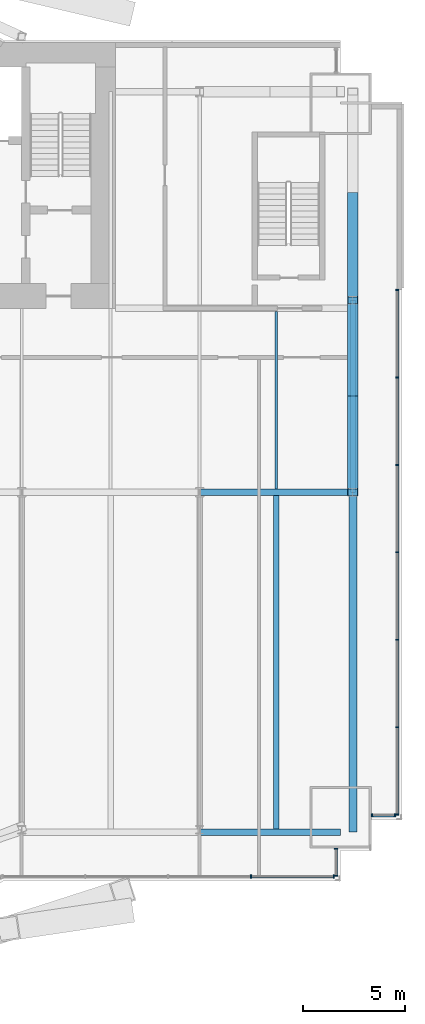
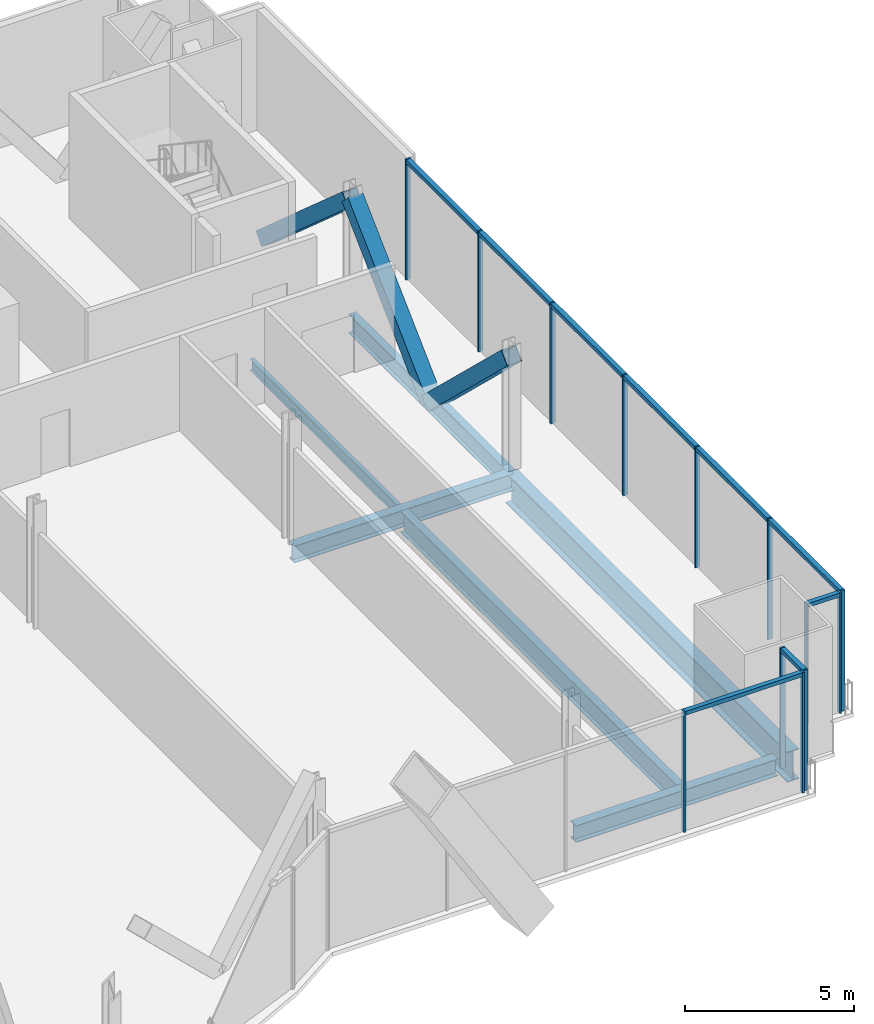
# One storey, part 14 of 23: 25 members, 6 beams, 4 elements without a shape of their own.
"""IFC4 building model written with IfcOpenShell, lengths in metres."""

from ifc_helpers import new_model, si_unit, direction, frame, origin, origin_2d, place, context, subcontext, project, spatial, rectangle, hollow_rectangle, i_section, extrude, material, material_profile, profile_set, type_object, element, aggregate, save


model = new_model("IFC4")

# Units and contexts
model_context = context("Model", 3, precision=1e-05, world=origin(), true_north=direction((0.0, 1.0)))
body_context = subcontext(model_context, "Body", "Model", "MODEL_VIEW")
ifc_project = project(units=[si_unit("LENGTHUNIT", "METRE"), si_unit("AREAUNIT", "SQUARE_METRE"), si_unit("VOLUMEUNIT", "CUBIC_METRE"), si_unit("PLANEANGLEUNIT", "RADIAN"), si_unit("MASSUNIT", "GRAM", prefix="KILO")], contexts=[model_context])

# Site, building, storey
site_placement = place(None, origin())
site = spatial("IfcSite", under=ifc_project, at=site_placement, CompositionType="ELEMENT")
building_placement = place(site_placement, origin())
building = spatial("IfcBuilding", under=site, at=building_placement, Name="Bicima Exchange Tower", CompositionType="ELEMENT")
storey_placement = place(building_placement, frame((0.0, 0.0, 53.0)))
storey = spatial("IfcBuildingStorey", under=building, at=storey_placement, Name="L10", CompositionType="ELEMENT", Elevation=53.0)

# Curtain wall, members
ifc_material_1 = material(Name="Anodised bronze aluminium", Category="aluminium")
curtain_wall_type_1 = type_object("IfcCurtainWallType", Name="End face glass wall", PredefinedType="NOTDEFINED", material=ifc_material_1)
curtain_wall_1_placement = place(storey_placement, origin())
curtain_wall_1 = element("IfcCurtainWall", 1, at=curtain_wall_1_placement, inside=storey, type_object=curtain_wall_type_1, Name="End face glass wall L10 run 19", PredefinedType="NOTDEFINED")
ifc_material_profile_1 = material_profile(ifc_material_1, rectangle(XDim=0.159912109375, YDim=0.06005859375, at=origin_2d()))
ifc_profile_set_1 = profile_set([ifc_material_profile_1], Name="Anodised bronze aluminium")
member_type_1 = type_object("IfcMemberType", Name="End face glass wall mullion 60 x 160", PredefinedType="MULLION", material=ifc_profile_set_1)
member_1_placement = place(storey_placement, frame((35.77001953125, -37.763916015625, 0.0), z_axis=(0.0, 0.0, 1.0), x_axis=(-1.0, 0.0, 0.0)))
member_1 = element("IfcMember", 2, at=member_1_placement, type_object=member_type_1, Name="End face glass wall mullion 1", PredefinedType="MULLION", context=body_context, shape_type="SweptSolid", body=[
    extrude(rectangle(XDim=0.159912109375, YDim=0.06005859375, at=origin_2d()), origin(), (0.0, 0.0, 1.0), 4.35009765625),
])
member_2_placement = place(storey_placement, frame((35.77001953125, -33.48828125, 0.0), z_axis=(0.0, 0.0, 1.0), x_axis=(-1.0, 0.0, 0.0)))
member_2 = element("IfcMember", 3, at=member_2_placement, type_object=member_type_1, Name="End face glass wall mullion 2", PredefinedType="MULLION", context=body_context, shape_type="SweptSolid", body=[
    extrude(rectangle(XDim=0.159912109375, YDim=0.06005859375, at=origin_2d()), origin(), (0.0, 0.0, 1.0), 4.35009765625),
])
member_3_placement = place(storey_placement, frame((35.77001953125, -29.212646484375, 0.0), z_axis=(0.0, 0.0, 1.0), x_axis=(-1.0, 0.0, 0.0)))
member_3 = element("IfcMember", 4, at=member_3_placement, type_object=member_type_1, Name="End face glass wall mullion 3", PredefinedType="MULLION", context=body_context, shape_type="SweptSolid", body=[
    extrude(rectangle(XDim=0.159912109375, YDim=0.06005859375, at=origin_2d()), origin(), (0.0, 0.0, 1.0), 4.35009765625),
])
member_4_placement = place(storey_placement, frame((35.77001953125, -24.93701171875, 0.0), z_axis=(0.0, 0.0, 1.0), x_axis=(-1.0, 0.0, 0.0)))
member_4 = element("IfcMember", 5, at=member_4_placement, type_object=member_type_1, Name="End face glass wall mullion 4", PredefinedType="MULLION", context=body_context, shape_type="SweptSolid", body=[
    extrude(rectangle(XDim=0.159912109375, YDim=0.06005859375, at=origin_2d()), origin(), (0.0, 0.0, 1.0), 4.35009765625),
])
member_5_placement = place(storey_placement, frame((35.77001953125, -20.661376953125, 0.0), z_axis=(0.0, 0.0, 1.0), x_axis=(-1.0, 0.0, 0.0)))
member_5 = element("IfcMember", 6, at=member_5_placement, type_object=member_type_1, Name="End face glass wall mullion 5", PredefinedType="MULLION", context=body_context, shape_type="SweptSolid", body=[
    extrude(rectangle(XDim=0.159912109375, YDim=0.06005859375, at=origin_2d()), origin(), (0.0, 0.0, 1.0), 4.35009765625),
])
member_6_placement = place(storey_placement, frame((35.77001953125, -16.3857421875, 0.0), z_axis=(0.0, 0.0, 1.0), x_axis=(-1.0, 0.0, 0.0)))
member_6 = element("IfcMember", 7, at=member_6_placement, type_object=member_type_1, Name="End face glass wall mullion 6", PredefinedType="MULLION", context=body_context, shape_type="SweptSolid", body=[
    extrude(rectangle(XDim=0.159912109375, YDim=0.06005859375, at=origin_2d()), origin(), (0.0, 0.0, 1.0), 4.35009765625),
])
member_7_placement = place(storey_placement, frame((35.77001953125, -12.110107421875, 0.0), z_axis=(0.0, 0.0, 1.0), x_axis=(-1.0, 0.0, 0.0)))
member_7 = element("IfcMember", 8, at=member_7_placement, type_object=member_type_1, Name="End face glass wall mullion 7", PredefinedType="MULLION", context=body_context, shape_type="SweptSolid", body=[
    extrude(rectangle(XDim=0.159912109375, YDim=0.06005859375, at=origin_2d()), origin(), (0.0, 0.0, 1.0), 4.35009765625),
])
ifc_material_profile_2 = material_profile(ifc_material_1, rectangle(XDim=0.159912109375, YDim=0.139892578125, at=origin_2d()))
ifc_profile_set_2 = profile_set([ifc_material_profile_2], Name="Anodised bronze aluminium")
member_type_2 = type_object("IfcMemberType", Name="End face glass wall transom 140 x 160", PredefinedType="USERDEFINED", material=ifc_profile_set_2)
member_8_placement = place(storey_placement, frame((35.77001953125, -37.73388671875, 4.280029296875), z_axis=(0.0, 1.0, 0.0), x_axis=(-1.0, 0.0, 0.0)))
member_8 = element("IfcMember", 9, at=member_8_placement, type_object=member_type_2, Name="End face glass wall transom 1.1", ObjectType="TRANSOM", PredefinedType="USERDEFINED", context=body_context, shape_type="SweptSolid", body=[
    extrude(rectangle(XDim=0.159912109375, YDim=0.139892578125, at=origin_2d()), origin(), (0.0, 0.0, 1.0), 4.215576171875),
])
member_9_placement = place(storey_placement, frame((35.77001953125, -33.458251953125, 4.280029296875), z_axis=(0.0, 1.0, 0.0), x_axis=(-1.0, 0.0, 0.0)))
member_9 = element("IfcMember", 10, at=member_9_placement, type_object=member_type_2, Name="End face glass wall transom 2.1", ObjectType="TRANSOM", PredefinedType="USERDEFINED", context=body_context, shape_type="SweptSolid", body=[
    extrude(rectangle(XDim=0.159912109375, YDim=0.139892578125, at=origin_2d()), origin(), (0.0, 0.0, 1.0), 4.215576171875),
])
member_10_placement = place(storey_placement, frame((35.77001953125, -29.1826171875, 4.280029296875), z_axis=(0.0, 1.0, 0.0), x_axis=(-1.0, 0.0, 0.0)))
member_10 = element("IfcMember", 11, at=member_10_placement, type_object=member_type_2, Name="End face glass wall transom 3.1", ObjectType="TRANSOM", PredefinedType="USERDEFINED", context=body_context, shape_type="SweptSolid", body=[
    extrude(rectangle(XDim=0.159912109375, YDim=0.139892578125, at=origin_2d()), origin(), (0.0, 0.0, 1.0), 4.215576171875),
])
member_11_placement = place(storey_placement, frame((35.77001953125, -24.906982421875, 4.280029296875), z_axis=(0.0, 1.0, 0.0), x_axis=(-1.0, 0.0, 0.0)))
member_11 = element("IfcMember", 12, at=member_11_placement, type_object=member_type_2, Name="End face glass wall transom 4.1", ObjectType="TRANSOM", PredefinedType="USERDEFINED", context=body_context, shape_type="SweptSolid", body=[
    extrude(rectangle(XDim=0.159912109375, YDim=0.139892578125, at=origin_2d()), origin(), (0.0, 0.0, 1.0), 4.215576171875),
])
member_12_placement = place(storey_placement, frame((35.77001953125, -20.63134765625, 4.280029296875), z_axis=(0.0, 1.0, 0.0), x_axis=(-1.0, 0.0, 0.0)))
member_12 = element("IfcMember", 13, at=member_12_placement, type_object=member_type_2, Name="End face glass wall transom 5.1", ObjectType="TRANSOM", PredefinedType="USERDEFINED", context=body_context, shape_type="SweptSolid", body=[
    extrude(rectangle(XDim=0.159912109375, YDim=0.139892578125, at=origin_2d()), origin(), (0.0, 0.0, 1.0), 4.215576171875),
])
member_13_placement = place(storey_placement, frame((35.77001953125, -16.355712890625, 4.280029296875), z_axis=(0.0, 1.0, 0.0), x_axis=(-1.0, 0.0, 0.0)))
member_13 = element("IfcMember", 14, at=member_13_placement, type_object=member_type_2, Name="End face glass wall transom 6.1", ObjectType="TRANSOM", PredefinedType="USERDEFINED", context=body_context, shape_type="SweptSolid", body=[
    extrude(rectangle(XDim=0.159912109375, YDim=0.139892578125, at=origin_2d()), origin(), (0.0, 0.0, 1.0), 4.2158203125),
])
aggregate(curtain_wall_1, [member_1, member_2, member_3, member_4, member_5, member_6, member_7, member_8, member_9, member_10, member_11, member_12, member_13])

# Beams
ifc_material_2 = material(Name="Steel ASTM A992 Gr 50", Category="steel")
ifc_material_profile_3 = material_profile(ifc_material_2, i_section(OverallWidth=0.256591796875, OverallDepth=0.693359375, WebThickness=0.014404296875, FlangeThickness=0.023681640625, at=origin_2d()))
ifc_profile_set_3 = profile_set([ifc_material_profile_3], Name="Steel ASTM A992 Gr 50")
beam_type_1 = type_object("IfcBeamType", Name="End girder W27x114", PredefinedType="BEAM", material=ifc_profile_set_3)
beam_1_placement = place(storey_placement, frame((33.60009765625, -12.60009765625, -0.49658203125), z_axis=(0.0, -1.0, 0.0), x_axis=(1.0, 0.0, 0.0)))
element("IfcBeam", 15, at=beam_1_placement, inside=storey, type_object=beam_type_1, Name="End girder", PredefinedType="BEAM", context=body_context, shape_type="SweptSolid", body=[
    extrude(i_section(OverallWidth=0.256591796875, OverallDepth=0.693359375, WebThickness=0.014404296875, FlangeThickness=0.023681640625, at=origin_2d()), origin(), (0.0, 0.0, 1.0), 9.39990234375),
])
ifc_material_profile_4 = material_profile(ifc_material_2, i_section(OverallWidth=0.4013671875, OverallDepth=1.089599609375, WebThickness=0.01806640625, FlangeThickness=0.031005859375, at=origin_2d()))
ifc_profile_set_4 = profile_set([ifc_material_profile_4], Name="Steel ASTM A992 Gr 50")
beam_type_2 = type_object("IfcBeamType", Name="End girder W44x230", PredefinedType="BEAM", material=ifc_profile_set_4)
beam_2_placement = place(storey_placement, frame((33.60009765625, -22.0, -0.69482421875), z_axis=(0.0, -1.0, 0.0), x_axis=(1.0, 0.0, 0.0)))
element("IfcBeam", 16, at=beam_2_placement, inside=storey, type_object=beam_type_2, Name="End girder", PredefinedType="BEAM", context=body_context, shape_type="SweptSolid", body=[
    extrude(i_section(OverallWidth=0.4013671875, OverallDepth=1.089599609375, WebThickness=0.01806640625, FlangeThickness=0.031005859375, at=origin_2d()), origin(), (0.0, 0.0, 1.0), 16.6240234375),
])
ifc_material_profile_5 = material_profile(ifc_material_2, i_section(OverallWidth=0.140380859375, OverallDepth=0.40380859375, WebThickness=0.007080078125, FlangeThickness=0.01123046875, at=origin_2d()))
ifc_profile_set_5 = profile_set([ifc_material_profile_5], Name="Steel ASTM A992 Gr 50")
beam_type_3 = type_object("IfcBeamType", Name="Floor beam W16x31", PredefinedType="JOIST", material=ifc_profile_set_5)
beam_3_placement = place(storey_placement, frame((29.85009765625, -13.15234375, -0.351806640625), z_axis=(0.0, -1.0, 0.0), x_axis=(1.0, 0.0, 0.0)))
element("IfcBeam", 17, at=beam_3_placement, inside=storey, type_object=beam_type_3, Name="Floor beam", PredefinedType="JOIST", context=body_context, shape_type="SweptSolid", body=[
    extrude(i_section(OverallWidth=0.140380859375, OverallDepth=0.40380859375, WebThickness=0.007080078125, FlangeThickness=0.01123046875, at=origin_2d()), origin(), (0.0, 0.0, 1.0), 8.68505859375),
])
ifc_material_profile_6 = material_profile(ifc_material_2, i_section(OverallWidth=0.2666015625, OverallDepth=0.75439453125, WebThickness=0.01318359375, FlangeThickness=0.01708984375, at=origin_2d()))
ifc_profile_set_6 = profile_set([ifc_material_profile_6], Name="Steel ASTM A992 Gr 50")
beam_type_4 = type_object("IfcBeamType", Name="Floor beam W30x99", PredefinedType="JOIST", material=ifc_profile_set_6)
beam_4_placement = place(storey_placement, frame((29.85009765625, -22.16259765625, -0.527099609375), z_axis=(0.0, -1.0, 0.0), x_axis=(1.0, 0.0, 0.0)))
element("IfcBeam", 18, at=beam_4_placement, inside=storey, type_object=beam_type_4, Name="Floor beam", PredefinedType="JOIST", context=body_context, shape_type="SweptSolid", body=[
    extrude(i_section(OverallWidth=0.2666015625, OverallDepth=0.75439453125, WebThickness=0.01318359375, FlangeThickness=0.01708984375, at=origin_2d()), origin(), (0.0, 0.0, 1.0), 16.298828125),
])
ifc_material_profile_7 = material_profile(ifc_material_2, i_section(OverallWidth=0.3251953125, OverallDepth=0.612060546875, WebThickness=0.0126953125, FlangeThickness=0.01904296875, at=origin_2d()))
ifc_profile_set_7 = profile_set([ifc_material_profile_7], Name="Steel ASTM A992 Gr 50")
beam_type_5 = type_object("IfcBeamType", Name="Front girder W24x104", PredefinedType="BEAM", material=ifc_profile_set_7)
beam_5_placement = place(storey_placement, frame((26.10009765625, -38.6240234375, -0.4560546875), z_axis=(1.0, 0.0, 0.0), x_axis=(0.0, 1.0, 0.0)))
element("IfcBeam", 19, at=beam_5_placement, inside=storey, type_object=beam_type_5, Name="Front girder", PredefinedType="BEAM", context=body_context, shape_type="SweptSolid", body=[
    extrude(i_section(OverallWidth=0.3251953125, OverallDepth=0.612060546875, WebThickness=0.0126953125, FlangeThickness=0.01904296875, at=origin_2d()), origin(), (0.0, 0.0, 1.0), 6.89990234375),
])

# Curtain wall, members
curtain_wall_type_2 = type_object("IfcCurtainWallType", Name="Front glass wall", PredefinedType="NOTDEFINED", material=ifc_material_1)
curtain_wall_2_placement = place(storey_placement, origin())
curtain_wall_2 = element("IfcCurtainWall", 20, at=curtain_wall_2_placement, inside=storey, type_object=curtain_wall_type_2, Name="Front glass wall L10 run 16", PredefinedType="NOTDEFINED")
member_type_3 = type_object("IfcMemberType", Name="Front glass wall mullion 60 x 160", PredefinedType="MULLION", material=ifc_profile_set_1)
member_14_placement = place(storey_placement, frame((28.610595703125, -40.7939453125, 0.0), z_axis=(0.0, 0.0, 1.0), x_axis=(0.0, 1.0, 0.0)))
member_14 = element("IfcMember", 21, at=member_14_placement, type_object=member_type_3, Name="Front glass wall mullion 4", PredefinedType="MULLION", context=body_context, shape_type="SweptSolid", body=[
    extrude(rectangle(XDim=0.159912109375, YDim=0.06005859375, at=origin_2d()), origin(), (0.0, 0.0, 1.0), 4.35009765625),
])
member_15_placement = place(storey_placement, frame((32.659912109375, -40.7939453125, 0.0), z_axis=(0.0, 0.0, 1.0), x_axis=(0.0, 1.0, 0.0)))
member_15 = element("IfcMember", 22, at=member_15_placement, type_object=member_type_3, Name="Front glass wall mullion 5", PredefinedType="MULLION", context=body_context, shape_type="SweptSolid", body=[
    extrude(rectangle(XDim=0.159912109375, YDim=0.06005859375, at=origin_2d()), origin(), (0.0, 0.0, 1.0), 4.35009765625),
])

curtain_wall_3_placement = place(storey_placement, origin())
curtain_wall_3 = element("IfcCurtainWall", 23, at=curtain_wall_3_placement, inside=storey, type_object=curtain_wall_type_2, Name="Front glass wall L10 run 17", PredefinedType="NOTDEFINED")
member_16_placement = place(storey_placement, frame((32.77001953125, -40.763916015625, 0.0), z_axis=(0.0, 0.0, 1.0), x_axis=(-1.0, 0.0, 0.0)))
member_16 = element("IfcMember", 24, at=member_16_placement, type_object=member_type_3, Name="Front glass wall mullion 1", PredefinedType="MULLION", context=body_context, shape_type="SweptSolid", body=[
    extrude(rectangle(XDim=0.159912109375, YDim=0.06005859375, at=origin_2d()), origin(), (0.0, 0.0, 1.0), 4.35009765625),
])
member_17_placement = place(storey_placement, frame((32.77001953125, -39.431884765625, 0.0), z_axis=(0.0, 0.0, 1.0), x_axis=(-1.0, 0.0, 0.0)))
member_17 = element("IfcMember", 25, at=member_17_placement, type_object=member_type_3, Name="Front glass wall mullion 2", PredefinedType="MULLION", context=body_context, shape_type="SweptSolid", body=[
    extrude(rectangle(XDim=0.159912109375, YDim=0.06005859375, at=origin_2d()), origin(), (0.0, 0.0, 1.0), 4.35009765625),
])

curtain_wall_4_placement = place(storey_placement, origin())
curtain_wall_4 = element("IfcCurtainWall", 26, at=curtain_wall_4_placement, inside=storey, type_object=curtain_wall_type_2, Name="Front glass wall L10 run 18", PredefinedType="NOTDEFINED")
member_18_placement = place(storey_placement, frame((34.530029296875, -37.7939453125, 0.0), z_axis=(0.0, 0.0, 1.0), x_axis=(0.0, 1.0, 0.0)))
member_18 = element("IfcMember", 27, at=member_18_placement, type_object=member_type_3, Name="Front glass wall mullion 1", PredefinedType="MULLION", context=body_context, shape_type="SweptSolid", body=[
    extrude(rectangle(XDim=0.159912109375, YDim=0.06005859375, at=origin_2d()), origin(), (0.0, 0.0, 1.0), 4.35009765625),
])
member_19_placement = place(storey_placement, frame((35.659912109375, -37.7939453125, 0.0), z_axis=(0.0, 0.0, 1.0), x_axis=(0.0, 1.0, 0.0)))
member_19 = element("IfcMember", 28, at=member_19_placement, type_object=member_type_3, Name="Front glass wall mullion 2", PredefinedType="MULLION", context=body_context, shape_type="SweptSolid", body=[
    extrude(rectangle(XDim=0.159912109375, YDim=0.06005859375, at=origin_2d()), origin(), (0.0, 0.0, 1.0), 4.35009765625),
])

# Member
member_type_4 = type_object("IfcMemberType", Name="Front glass wall transom 140 x 160", PredefinedType="USERDEFINED", material=ifc_profile_set_2)
member_20_placement = place(storey_placement, frame((28.640380859375, -40.7939453125, 4.280029296875), z_axis=(1.0, 0.0, 0.0), x_axis=(0.0, 1.0, 0.0)))
member_20 = element("IfcMember", 29, at=member_20_placement, type_object=member_type_4, Name="Front glass wall transom 4.1", ObjectType="TRANSOM", PredefinedType="USERDEFINED", context=body_context, shape_type="SweptSolid", body=[
    extrude(rectangle(XDim=0.159912109375, YDim=0.139892578125, at=origin_2d()), origin(), (0.0, 0.0, 1.0), 3.989501953125),
])

aggregate(curtain_wall_2, [member_14, member_15, member_20])

member_21_placement = place(storey_placement, frame((32.77001953125, -40.73388671875, 4.280029296875), z_axis=(0.0, 1.0, 0.0), x_axis=(-1.0, 0.0, 0.0)))
member_21 = element("IfcMember", 30, at=member_21_placement, type_object=member_type_4, Name="Front glass wall transom 1.1", ObjectType="TRANSOM", PredefinedType="USERDEFINED", context=body_context, shape_type="SweptSolid", body=[
    extrude(rectangle(XDim=0.159912109375, YDim=0.139892578125, at=origin_2d()), origin(), (0.0, 0.0, 1.0), 1.27197265625),
])

aggregate(curtain_wall_3, [member_16, member_17, member_21])

member_22_placement = place(storey_placement, frame((34.56005859375, -37.7939453125, 4.280029296875), z_axis=(1.0, 0.0, 0.0), x_axis=(0.0, 1.0, 0.0)))
member_22 = element("IfcMember", 31, at=member_22_placement, type_object=member_type_4, Name="Front glass wall transom 1.1", ObjectType="TRANSOM", PredefinedType="USERDEFINED", context=body_context, shape_type="SweptSolid", body=[
    extrude(rectangle(XDim=0.159912109375, YDim=0.139892578125, at=origin_2d()), origin(), (0.0, 0.0, 1.0), 1.06982421875),
])

aggregate(curtain_wall_4, [member_18, member_19, member_22])

# Members
ifc_material_3 = material(Name="Steel ASTM A572 Gr 50", Category="steel")
ifc_material_profile_8 = material_profile(ifc_material_3, hollow_rectangle(XDim=0.508056640625, YDim=0.508056640625, WallThickness=0.017822265625, at=origin_2d()))
ifc_profile_set_8 = profile_set([ifc_material_profile_8], Name="Steel ASTM A572 Gr 50")
member_type_5 = type_object("IfcMemberType", Name="Mega brace HSS20x20x3/4", PredefinedType="BRACE", material=ifc_profile_set_8)
member_23_placement = place(storey_placement, frame((33.60009765625, -7.5, -0.49658203125), z_axis=(0.0, -0.749844140428, 0.661614513948), x_axis=(1.0, 0.0, 0.0)))
element("IfcMember", 32, at=member_23_placement, inside=storey, type_object=member_type_5, Name="Mega brace east end", PredefinedType="BRACE", context=body_context, shape_type="SweptSolid", body=[
    extrude(hollow_rectangle(XDim=0.508056640625, YDim=0.508056640625, WallThickness=0.017822265625, at=origin_2d()), origin(), (0.0, 0.0, 1.0), 6.801513671875),
])
for number, where, z_axis, x_axis, name in (
    (33, (33.60009765625, -17.300048828125, -0.49658203125), (0.0, -0.722304421208, 0.691575247608), (1.0, 0.0, 0.0), "Mega brace east end"),
    (34, (33.60009765625, -17.300048828125, -0.49658203125), (0.0, 0.722304421208, 0.691575247608), (-1.0, 0.0, 0.0), "Mega brace east end"),
):
    element("IfcMember", number, at=place(storey_placement, frame(where, z_axis=z_axis, x_axis=x_axis)), inside=storey, type_object=member_type_5, Name=name, PredefinedType="BRACE", context=body_context, shape_type="SweptSolid", body=[
        extrude(hollow_rectangle(XDim=0.508056640625, YDim=0.508056640625, WallThickness=0.017822265625, at=origin_2d()), origin(), (0.0, 0.0, 1.0), 6.5068359375),
    ])

# Beam
beam_type_6 = type_object("IfcBeamType", Name="Row girder W24x104", PredefinedType="BEAM", material=ifc_profile_set_7)
beam_6_placement = place(storey_placement, frame((26.10009765625, -22.0, -0.4560546875), z_axis=(1.0, 0.0, 0.0), x_axis=(0.0, 1.0, 0.0)))
element("IfcBeam", 35, at=beam_6_placement, inside=storey, type_object=beam_type_6, Name="Row girder", PredefinedType="BEAM", context=body_context, shape_type="SweptSolid", body=[
    extrude(i_section(OverallWidth=0.3251953125, OverallDepth=0.612060546875, WebThickness=0.0126953125, FlangeThickness=0.01904296875, at=origin_2d()), origin(), (0.0, 0.0, 1.0), 7.5),
])

save(model, "model.ifc")
